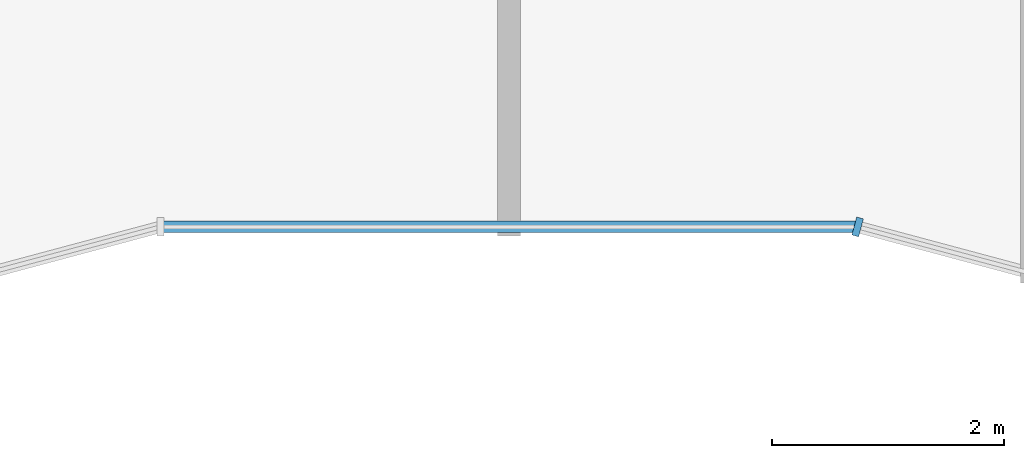
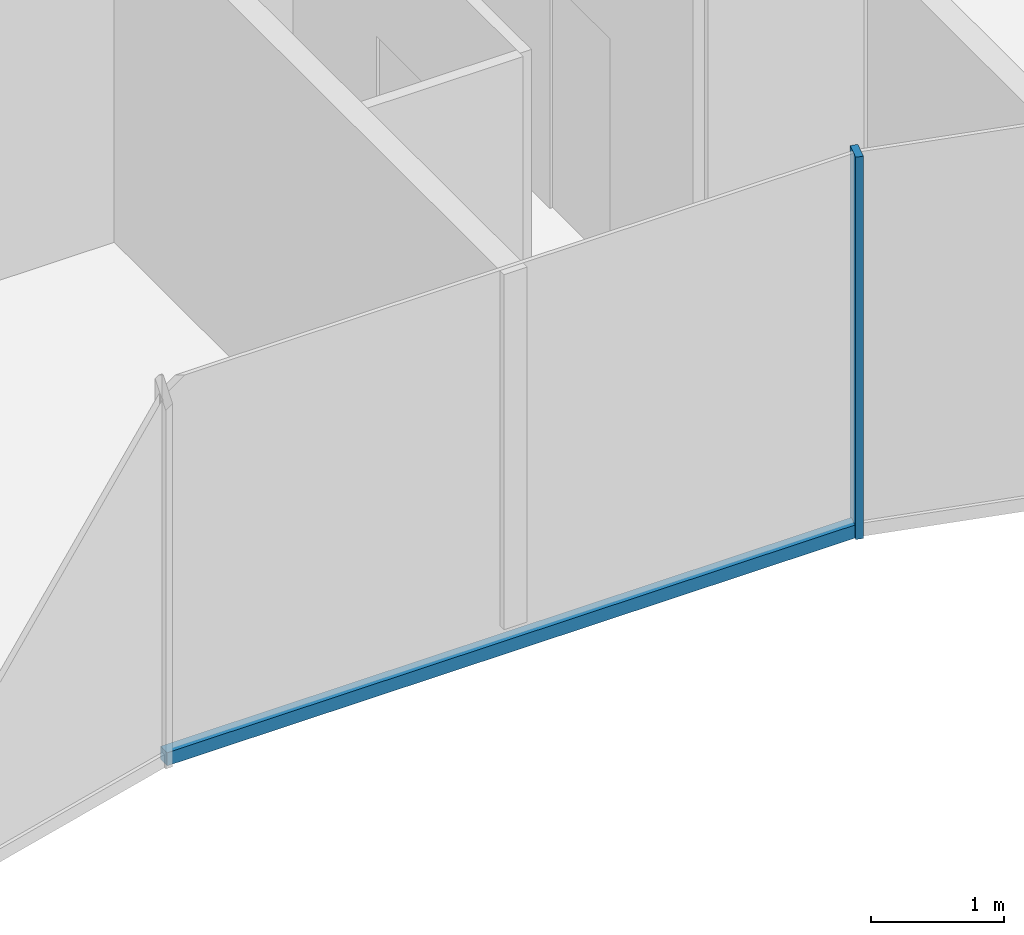
# One storey, part 3 of 10: 2 members, 2 elements without a shape of their own.
"""IFC4 building model written with IfcOpenShell, lengths in metres."""

from ifc_helpers import new_model, si_unit, direction, frame, origin, origin_2d, place, context, subcontext, project, spatial, rectangle, extrude, material, layer, layer_set, material_profile, profile_set, type_object, element, aggregate, save


model = new_model("IFC4")

# Units and contexts
model_context = context("Model", 3, precision=1e-05, world=origin(), true_north=direction((0.0, 1.0)))
body_context = subcontext(model_context, "Body", "Model", "MODEL_VIEW")
ifc_project = project(units=[si_unit("LENGTHUNIT", "METRE"), si_unit("AREAUNIT", "SQUARE_METRE"), si_unit("VOLUMEUNIT", "CUBIC_METRE"), si_unit("PLANEANGLEUNIT", "RADIAN"), si_unit("MASSUNIT", "GRAM", prefix="KILO")], contexts=[model_context])

# Site, building, storey
site_placement = place(None, origin())
site = spatial("IfcSite", under=ifc_project, at=site_placement, CompositionType="ELEMENT")
building_placement = place(site_placement, origin())
building = spatial("IfcBuilding", under=site, at=building_placement, Name="Plateau Cross Towers", CompositionType="ELEMENT")
storey_placement = place(building_placement, frame((0.0, 0.0, 277.39990234375)))
storey = spatial("IfcBuildingStorey", under=building, at=storey_placement, Name="L73", CompositionType="ELEMENT", Elevation=277.39990234375)

# Curtain wall, member
ifc_material_1 = material(Name="Dark low-iron glass", Category="glass")
ifc_layer = layer(ifc_material_1, 0.260009765625)
ifc_layer_set = layer_set([ifc_layer], Name="Dark low-iron glass")
curtain_wall_type = type_object("IfcCurtainWallType", Name="Curtain wall fluted unitised CW-A", PredefinedType="NOTDEFINED", material=ifc_layer_set)
curtain_wall_1_placement = place(storey_placement, origin())
curtain_wall_1 = element("IfcCurtainWall", 1, at=curtain_wall_1_placement, inside=storey, type_object=curtain_wall_type, Name="ENV/A/L73/A300_16", PredefinedType="NOTDEFINED")
ifc_material_2 = material(Name="Black anodised aluminium", Category="aluminium")
ifc_material_profile_1 = material_profile(ifc_material_2, rectangle(XDim=0.06005859375, YDim=0.159912109375, at=origin_2d()), Name="MULLION 60x160")
ifc_profile_set_1 = profile_set([ifc_material_profile_1], Name="Black anodised aluminium")
member_type_1 = type_object("IfcMemberType", Name="Mullion 60x160 fluted unitised", PredefinedType="MULLION", material=ifc_profile_set_1)
member_1_placement = place(storey_placement, frame((30.0, 1.60693359375, -0.25), z_axis=(0.0, 0.0, 1.0), x_axis=(0.965957983404, -0.258699003279, 0.0)))
member_1 = element("IfcMember", 2, at=member_1_placement, type_object=member_type_1, Name="CW-A mullion 1", PredefinedType="MULLION", context=body_context, shape_type="SweptSolid", body=[
    extrude(rectangle(XDim=0.06005859375, YDim=0.159912109375, at=origin_2d()), origin(), (0.0, 0.0, 1.0), 3.5),
])
aggregate(curtain_wall_1, [member_1])

curtain_wall_2_placement = place(storey_placement, origin())
curtain_wall_2 = element("IfcCurtainWall", 3, at=curtain_wall_2_placement, inside=storey, type_object=curtain_wall_type, Name="ENV/A/L73/A240_16", PredefinedType="NOTDEFINED")
ifc_material_profile_2 = material_profile(ifc_material_2, rectangle(XDim=0.10009765625, YDim=0.1201171875, at=origin_2d()), Name="TRANSOM 100x120")
ifc_profile_set_2 = profile_set([ifc_material_profile_2], Name="Black anodised aluminium")
member_type_2 = type_object("IfcMemberType", Name="Transom 100x120 fluted unitised", PredefinedType="USERDEFINED", material=ifc_profile_set_2)
member_2_placement = place(storey_placement, frame((24.0, 1.60693359375, -0.18994140625), z_axis=(1.0, 0.0, 0.0), x_axis=(0.0, 1.0, 0.0)))
member_2 = element("IfcMember", 4, at=member_2_placement, type_object=member_type_2, Name="CW-A transom", ObjectType="TRANSOM", PredefinedType="USERDEFINED", context=body_context, shape_type="SweptSolid", body=[
    extrude(rectangle(XDim=0.10009765625, YDim=0.1201171875, at=origin_2d()), origin(), (0.0, 0.0, 1.0), 6.0),
])
aggregate(curtain_wall_2, [member_2])

save(model, "model.ifc")
